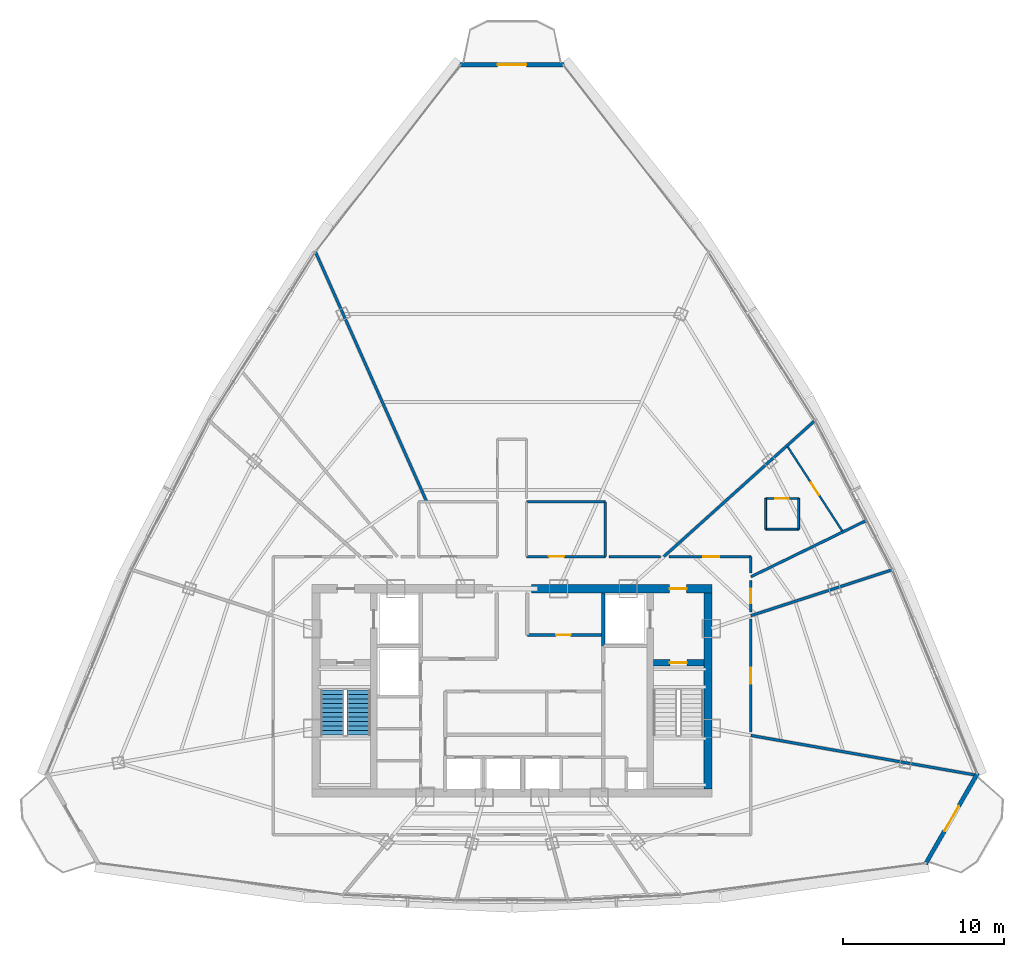
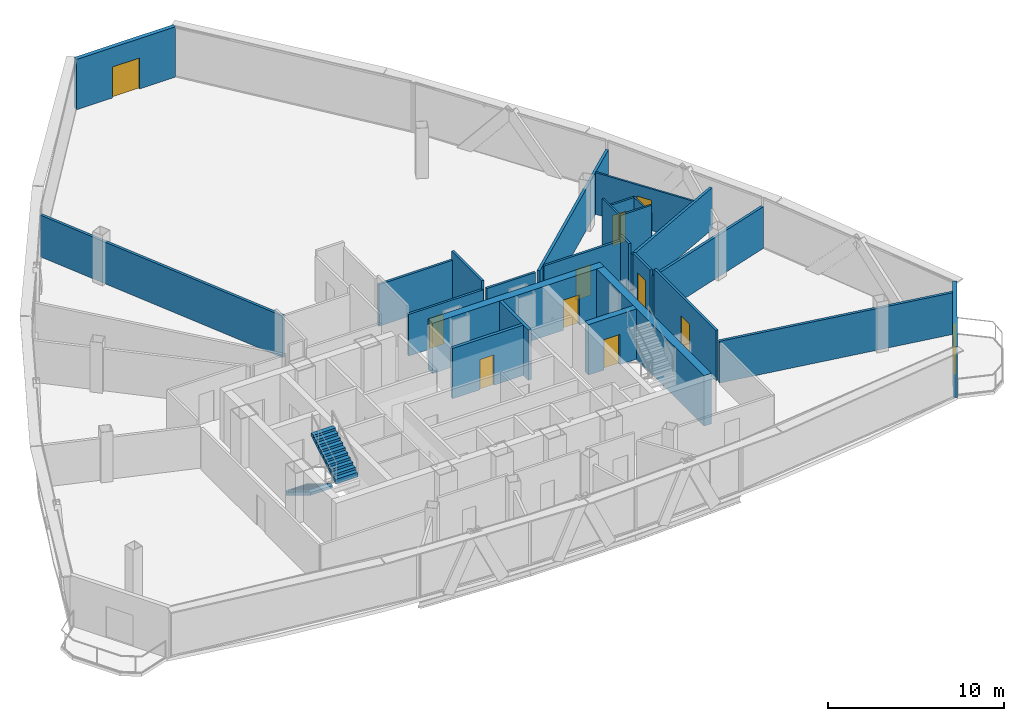
# One storey, part 29 of 33: 25 walls, 11 doors, 2 stair flights, 11 openings, 1 element without a shape of its own.
"""IFC4 building model written with IfcOpenShell, lengths in metres."""

from ifc_helpers import new_model, si_unit, direction, frame, frame_2d, origin, origin_with_axes, place, context, subcontext, project, spatial, polyline, rectangle, outline, extrude, source, transform, mapped, material, layer, layer_set, type_object, element, fill, aggregate, save


model = new_model("IFC4")

# Units and contexts
model_context = context("Model", 3, precision=1e-05, world=origin(), true_north=direction((0.0, 1.0)))
body_context = subcontext(model_context, "Body", "Model", "MODEL_VIEW")
ifc_project = project(units=[si_unit("LENGTHUNIT", "METRE"), si_unit("AREAUNIT", "SQUARE_METRE"), si_unit("VOLUMEUNIT", "CUBIC_METRE"), si_unit("PLANEANGLEUNIT", "RADIAN"), si_unit("MASSUNIT", "GRAM", prefix="KILO"), si_unit("THERMODYNAMICTEMPERATUREUNIT", "KELVIN"), si_unit("POWERUNIT", "WATT")], contexts=[model_context])

# Site, building, storey
site_placement = place(None, origin())
site = spatial("IfcSite", under=ifc_project, at=site_placement, CompositionType="ELEMENT")
building_placement = place(site_placement, origin())
building = spatial("IfcBuilding", under=site, at=building_placement, Name="Yunzhuo Pagoda Commons", CompositionType="ELEMENT")
storey_placement = place(building_placement, frame((0.0, 0.0, 325.510009765625)))
storey = spatial("IfcBuildingStorey", under=building, at=storey_placement, Name="L81", CompositionType="ELEMENT", Elevation=325.510009765625)

# Wall, opening, door
ifc_material_1 = material(Name="Precast concrete C40", Category="concrete")
ifc_layer_1 = layer(ifc_material_1, 0.260009765625)
ifc_layer_set_1 = layer_set([ifc_layer_1], Name="Precast concrete C40")
wall_type_1 = type_object("IfcWallType", Name="W-BAL1 Corner Balcony Threshold Wall 260", PredefinedType="STANDARD", material=ifc_layer_set_1)
wall_1_placement = place(storey_placement, frame((73.71240234375, 23.091064453125, 0.0), z_axis=(0.0, 0.0, 1.0), x_axis=(0.49793434898, 0.867214727796, 0.0)))
wall_1 = element("IfcWall", 1, at=wall_1_placement, inside=storey, type_object=wall_type_1, Name="L81 corner balcony wall V2", PredefinedType="STANDARD", context=body_context, shape_type="SweptSolid", body=[
    extrude(rectangle(XDim=6.5126953125, YDim=0.260009765625, at=frame_2d((3.25634765625, 0.0))), origin(), (0.0, 0.0, 1.0), 3.489990234375),
])
opening_1_placement = place(wall_1_placement, frame((2.3564453125, 0.0, 0.0)))
opening_1 = element("IfcOpeningElement", 2, at=opening_1_placement, cuts=wall_1, Name="Opening D-BAL1", PredefinedType="OPENING", context=body_context, shape_type="SweptSolid", body=[
    extrude(rectangle(XDim=1.800048828125, YDim=2.14990234375, at=frame_2d((0.89990234375, 1.074951171875))), frame((0.0, 0.14013671875, 0.0), z_axis=(0.0, -1.0, 0.0), x_axis=(1.0, 0.0, 0.0)), (0.0, 0.0, 1.0), 0.280029296875),
])
ifc_material_2 = material(Name="Anodized aluminium frame and tempered glazed leaf", Category="aluminium")
door_type_1 = type_object("IfcDoorType", Name="D-BAL1 Corner Balcony Sliding Glazed Door 1800x2150", OperationType="DOUBLE_DOOR_SLIDING", PredefinedType="DOOR", material=ifc_material_2)
shared_shape_1 = source(origin(), body_context, "Body", "SweptSolid", [
    extrude(rectangle(XDim=1.800048828125, YDim=2.14990234375, at=frame_2d((0.89990234375, 1.074951171875))), frame((0.0, 0.02490234375, 0.0), z_axis=(0.0, -1.0, 0.0), x_axis=(1.0, 0.0, 0.0)), (0.0, 0.0, 1.0), 0.050048828125),
])
door_1_placement = place(opening_1_placement, origin_with_axes())
door_1 = element("IfcDoor", 3, at=door_1_placement, inside=storey, type_object=door_type_1, Name="L81 corner balcony sliding door V2", OperationType="DOUBLE_DOOR_SLIDING", OverallHeight=2.14990234375, OverallWidth=1.800048828125, PredefinedType="DOOR", context=body_context, shape_type="MappedRepresentation", body=[
    mapped(shared_shape_1, transform((0.0, 0.0, 0.0), scale=1.0)),
])
fill(opening_1, door_1)

wall_2_placement = place(storey_placement, frame((51.243408203125, 72.783203125, 0.0), z_axis=(0.0, 0.0, 1.0), x_axis=(-1.0, 0.0, 0.0)))
wall_2 = element("IfcWall", 4, at=wall_2_placement, inside=storey, type_object=wall_type_1, Name="L81 corner balcony wall V3", PredefinedType="STANDARD", context=body_context, shape_type="SweptSolid", body=[
    extrude(rectangle(XDim=6.48681640625, YDim=0.260009765625, at=frame_2d((3.243408203125, 0.0))), origin(), (0.0, 0.0, 1.0), 3.489990234375),
])
opening_2_placement = place(wall_2_placement, frame((2.343505859375, 0.0, 0.0)))
opening_2 = element("IfcOpeningElement", 5, at=opening_2_placement, cuts=wall_2, Name="Opening D-BAL1", PredefinedType="OPENING", context=body_context, shape_type="SweptSolid", body=[
    extrude(rectangle(XDim=1.800048828125, YDim=2.14990234375, at=frame_2d((0.89990234375, 1.074951171875))), frame((0.0, 0.14013671875, 0.0), z_axis=(0.0, -1.0, 0.0), x_axis=(1.0, 0.0, 0.0)), (0.0, 0.0, 1.0), 0.280029296875),
])
door_2_placement = place(opening_2_placement, origin_with_axes())
door_2 = element("IfcDoor", 6, at=door_2_placement, inside=storey, type_object=door_type_1, Name="L81 corner balcony sliding door V3", OperationType="DOUBLE_DOOR_SLIDING", OverallHeight=2.14990234375, OverallWidth=1.800048828125, PredefinedType="DOOR", context=body_context, shape_type="MappedRepresentation", body=[
    mapped(shared_shape_1, transform((0.0, 0.0, 0.0), scale=1.0)),
])
fill(opening_2, door_2)

ifc_material_3 = material(Name="Concrete C50", Category="concrete")
ifc_layer_2 = layer(ifc_material_3, 0.5)
ifc_layer_set_2 = layer_set([ifc_layer_2], Name="Concrete C50")
wall_type_2 = type_object("IfcWallType", Name="W-C03 Upper Core Shear Wall 500", PredefinedType="SHEAR", material=ifc_layer_set_2)
wall_3_placement = place(storey_placement, frame((49.199951171875, 40.199951171875, 0.0), z_axis=(0.0, 0.0, 1.0), x_axis=(1.0, 0.0, 0.0)))
wall_3 = element("IfcWall", 7, at=wall_3_placement, inside=storey, type_object=wall_type_2, Name="L81 core shear wall NE", PredefinedType="SHEAR", context=body_context, shape_type="SweptSolid", body=[
    extrude(rectangle(XDim=11.25, YDim=0.5, at=frame_2d((5.625, 0.0))), origin(), (0.0, 0.0, 1.0), 3.489990234375),
])
opening_3_placement = place(wall_3_placement, frame((8.60009765625, 0.0, 0.0)))
opening_3 = element("IfcOpeningElement", 8, at=opening_3_placement, cuts=wall_3, Name="Opening D-02", PredefinedType="OPENING", context=body_context, shape_type="SweptSolid", body=[
    extrude(rectangle(XDim=1.050048828125, YDim=2.10009765625, at=frame_2d((0.52490234375, 1.050048828125))), frame((0.0, 0.260009765625, 0.0), z_axis=(0.0, -1.0, 0.0), x_axis=(1.0, 0.0, 0.0)), (0.0, 0.0, 1.0), 0.52001953125),
])
ifc_material_4 = material(Name="Galvanized fire-resisting metal leaf")
door_type_2 = type_object("IfcDoorType", Name="D-02 Firefighting Lobby & Refuge Fire Door 1050x2100", OperationType="NOTDEFINED", PredefinedType="DOOR", material=ifc_material_4)
shared_shape_2 = source(origin(), body_context, "Body", "SweptSolid", [
    extrude(rectangle(XDim=1.050048828125, YDim=2.10009765625, at=frame_2d((0.52490234375, 1.050048828125))), frame((0.0, 0.02490234375, 0.0), z_axis=(0.0, -1.0, 0.0), x_axis=(1.0, 0.0, 0.0)), (0.0, 0.0, 1.0), 0.050048828125),
])
door_3_placement = place(opening_3_placement, frame((1.050048828125, 0.0, 0.0), z_axis=(0.0, 0.0, 1.0), x_axis=(-1.0, 0.0, 0.0)))
door_3 = element("IfcDoor", 9, at=door_3_placement, inside=storey, type_object=door_type_2, Name="L81 Firefighting Lobby 2 fire door", OperationType="SINGLE_SWING_RIGHT", OverallHeight=2.10009765625, OverallWidth=1.050048828125, PredefinedType="DOOR", context=body_context, shape_type="MappedRepresentation", body=[
    mapped(shared_shape_2, transform((0.0, 0.0, 0.0), scale=1.0)),
])
fill(opening_3, door_3)

# Wall
wall_4_placement = place(storey_placement, frame((60.199951171875, 27.75, 0.0), z_axis=(0.0, 0.0, 1.0), x_axis=(0.0, 1.0, 0.0)))
element("IfcWall", 10, at=wall_4_placement, inside=storey, type_object=wall_type_2, Name="L81 core shear wall E", PredefinedType="SHEAR", context=body_context, shape_type="SweptSolid", body=[
    extrude(rectangle(XDim=12.199951171875, YDim=0.5, at=frame_2d((6.10009765625, 0.0))), origin(), (0.0, 0.0, 1.0), 3.489990234375),
])

# Wall, opening, door
ifc_material_5 = material(Name="Gypsum plasterboard on acoustic stud")
ifc_layer_3 = layer(ifc_material_5, 0.14990234375)
ifc_layer_set_3 = layer_set([ifc_layer_3], Name="Gypsum plasterboard on acoustic stud")
wall_type_3 = type_object("IfcWallType", Name="W-COR3 High-Zone Rated Corridor Wall 150", PredefinedType="PARTITIONING", material=ifc_layer_set_3)
wall_5_placement = place(storey_placement, frame((48.89990234375, 42.199951171875, 0.0), z_axis=(0.0, 0.0, 1.0), x_axis=(1.0, 0.0, 0.0)))
wall_5 = element("IfcWall", 11, at=wall_5_placement, inside=storey, type_object=wall_type_3, Name="L81 interior wall IW-L81-TFES", PredefinedType="PARTITIONING", context=body_context, shape_type="SweptSolid", body=[
    extrude(rectangle(XDim=4.900146484375, YDim=0.14990234375, at=frame_2d((2.4501953125, 0.0))), origin(), (0.0, 0.0, 1.0), 2.889892578125),
])
opening_4_placement = place(wall_5_placement, frame((1.39990234375, 0.0, 0.0)))
opening_4 = element("IfcOpeningElement", 12, at=opening_4_placement, cuts=wall_5, Name="Opening D-11", PredefinedType="OPENING", context=body_context, shape_type="SweptSolid", body=[
    extrude(rectangle(XDim=0.93994140625, YDim=2.10009765625, at=frame_2d((0.469970703125, 1.050048828125))), frame((0.0, 0.0849609375, 0.0), z_axis=(0.0, -1.0, 0.0), x_axis=(1.0, 0.0, 0.0)), (0.0, 0.0, 1.0), 0.169921875),
])
door_type_3 = type_object("IfcDoorType", Name="D-11 Accessible Washroom Fire Door 940x2100", OperationType="NOTDEFINED", PredefinedType="DOOR", material=ifc_material_4)
shared_shape_3 = source(origin(), body_context, "Body", "SweptSolid", [
    extrude(rectangle(XDim=0.93994140625, YDim=2.10009765625, at=frame_2d((0.469970703125, 1.050048828125))), frame((0.0, 0.02490234375, 0.0), z_axis=(0.0, -1.0, 0.0), x_axis=(1.0, 0.0, 0.0)), (0.0, 0.0, 1.0), 0.050048828125),
])
door_4_placement = place(opening_4_placement, frame((0.93994140625, 0.0, 0.0), z_axis=(0.0, 0.0, 1.0), x_axis=(-1.0, 0.0, 0.0)))
door_4 = element("IfcDoor", 13, at=door_4_placement, inside=storey, type_object=door_type_3, Name="L81 accessible WC door", OperationType="SINGLE_SWING_RIGHT", OverallHeight=2.10009765625, OverallWidth=0.93994140625, PredefinedType="DOOR", context=body_context, shape_type="MappedRepresentation", body=[
    mapped(shared_shape_3, transform((0.0, 0.0, 0.0), scale=1.0)),
])
fill(opening_4, door_4)

# Walls
wall_6_placement = place(storey_placement, frame((48.89990234375, 45.60009765625, 0.0), z_axis=(0.0, 0.0, 1.0), x_axis=(1.0, 0.0, 0.0)))
element("IfcWall", 14, at=wall_6_placement, inside=storey, type_object=wall_type_3, Name="L81 interior wall IW-L81-TFEN", PredefinedType="PARTITIONING", context=body_context, shape_type="SweptSolid", body=[
    extrude(rectangle(XDim=4.900146484375, YDim=0.14990234375, at=frame_2d((2.4501953125, 0.0))), origin(), (0.0, 0.0, 1.0), 2.889892578125),
])
wall_7_placement = place(storey_placement, frame((53.800048828125, 42.199951171875, 0.0), z_axis=(0.0, 0.0, 1.0), x_axis=(0.0, 1.0, 0.0)))
element("IfcWall", 15, at=wall_7_placement, inside=storey, type_object=wall_type_3, Name="L81 interior wall IW-L81-TFEE", PredefinedType="PARTITIONING", context=body_context, shape_type="SweptSolid", body=[
    extrude(rectangle(XDim=3.400146484375, YDim=0.14990234375, at=frame_2d((1.7001953125, 0.0))), origin(), (0.0, 0.0, 1.0), 3.489990234375),
])
wall_8_placement = place(storey_placement, frame((54.02001953125, 42.199951171875, 0.0), z_axis=(0.0, 0.0, 1.0), x_axis=(1.0, 0.0, 0.0)))
element("IfcWall", 16, at=wall_8_placement, inside=storey, type_object=wall_type_3, Name="L81 interior wall IW-L81-CWL09", PredefinedType="PARTITIONING", context=body_context, shape_type="SweptSolid", body=[
    extrude(rectangle(XDim=3.200439453125, YDim=0.14990234375, at=frame_2d((1.60009765625, 0.0))), origin(), (0.0, 0.0, 1.0), 2.889892578125),
])

# Wall, opening, door
wall_9_placement = place(storey_placement, frame((57.76904296875, 42.199951171875, 0.0), z_axis=(0.0, 0.0, 1.0), x_axis=(1.0, 0.0, 0.0)))
wall_9 = element("IfcWall", 17, at=wall_9_placement, inside=storey, type_object=wall_type_3, Name="L81 interior wall IW-L81-CWL10", PredefinedType="PARTITIONING", context=body_context, shape_type="SweptSolid", body=[
    extrude(rectangle(XDim=5.0810546875, YDim=0.14990234375, at=frame_2d((2.54052734375, 0.0))), origin(), (0.0, 0.0, 1.0), 3.139892578125),
])
opening_5_placement = place(wall_9_placement, frame((2.131103515625, 0.0, 0.0)))
opening_5 = element("IfcOpeningElement", 18, at=opening_5_placement, cuts=wall_9, Name="Opening D-08", PredefinedType="OPENING", context=body_context, shape_type="SweptSolid", body=[
    extrude(rectangle(XDim=0.97998046875, YDim=2.1201171875, at=frame_2d((0.489990234375, 1.06005859375))), frame((0.0, 0.0849609375, 0.0), z_axis=(0.0, -1.0, 0.0), x_axis=(1.0, 0.0, 0.0)), (0.0, 0.0, 1.0), 0.169921875),
])
door_type_4 = type_object("IfcDoorType", Name="D-08 High-Zone Suite Entrance Fire Door 980x2120", OperationType="NOTDEFINED", PredefinedType="DOOR", material=ifc_material_4)
shared_shape_4 = source(origin(), body_context, "Body", "SweptSolid", [
    extrude(rectangle(XDim=0.97998046875, YDim=2.1201171875, at=frame_2d((0.489990234375, 1.06005859375))), frame((0.0, 0.02490234375, 0.0), z_axis=(0.0, -1.0, 0.0), x_axis=(1.0, 0.0, 0.0)), (0.0, 0.0, 1.0), 0.050048828125),
])
door_5_placement = place(opening_5_placement, origin_with_axes())
door_5 = element("IfcDoor", 19, at=door_5_placement, inside=storey, type_object=door_type_4, Name="L81 unit 03 entrance door", OperationType="SINGLE_SWING_LEFT", OverallHeight=2.1201171875, OverallWidth=0.97998046875, PredefinedType="DOOR", context=body_context, shape_type="MappedRepresentation", body=[
    mapped(shared_shape_4, transform((0.0, 0.0, 0.0), scale=1.0)),
])
fill(opening_5, door_5)

# Wall
wall_10_placement = place(storey_placement, frame((62.85009765625, 42.199951171875, 0.0), z_axis=(0.0, 0.0, 1.0), x_axis=(0.0, -1.0, 0.0)))
element("IfcWall", 20, at=wall_10_placement, inside=storey, type_object=wall_type_3, Name="L81 interior wall IW-L81-CWL11", PredefinedType="PARTITIONING", context=body_context, shape_type="SweptSolid", body=[
    extrude(rectangle(XDim=1.012451171875, YDim=0.14990234375, at=frame_2d((0.50634765625, 0.0))), origin(), (0.0, 0.0, 1.0), 3.489990234375),
])

# Wall, opening, door
wall_11_placement = place(storey_placement, frame((62.85009765625, 40.722900390625, 0.0), z_axis=(0.0, 0.0, 1.0), x_axis=(0.0, -1.0, 0.0)))
wall_11 = element("IfcWall", 21, at=wall_11_placement, inside=storey, type_object=wall_type_3, Name="L81 interior wall IW-L81-CWL12", PredefinedType="PARTITIONING", context=body_context, shape_type="SweptSolid", body=[
    extrude(rectangle(XDim=1.966552734375, YDim=0.14990234375, at=frame_2d((0.9833984375, 0.0))), origin(), (0.0, 0.0, 1.0), 3.139892578125),
])
opening_6_placement = place(wall_11_placement, frame((0.529052734375, 0.0, 0.0)))
opening_6 = element("IfcOpeningElement", 22, at=opening_6_placement, cuts=wall_11, Name="Opening D-12", PredefinedType="OPENING", context=body_context, shape_type="SweptSolid", body=[
    extrude(rectangle(XDim=0.89990234375, YDim=2.080078125, at=frame_2d((0.449951171875, 1.0400390625))), frame((0.0, 0.0849609375, 0.0), z_axis=(0.0, -1.0, 0.0), x_axis=(1.0, 0.0, 0.0)), (0.0, 0.0, 1.0), 0.169921875),
])
ifc_material_6 = material(Name="Powder-coated aluminium and timber acoustic leaf", Category="wood")
door_type_5 = type_object("IfcDoorType", Name="D-12 Quiet Study Interior Door 900x2080", OperationType="NOTDEFINED", PredefinedType="DOOR", material=ifc_material_6)
shared_shape_5 = source(origin(), body_context, "Body", "SweptSolid", [
    extrude(rectangle(XDim=0.89990234375, YDim=2.080078125, at=frame_2d((0.449951171875, 1.0400390625))), frame((0.0, 0.02490234375, 0.0), z_axis=(0.0, -1.0, 0.0), x_axis=(1.0, 0.0, 0.0)), (0.0, 0.0, 1.0), 0.050048828125),
])
door_6_placement = place(opening_6_placement, origin_with_axes())
door_6 = element("IfcDoor", 23, at=door_6_placement, inside=storey, type_object=door_type_5, Name="L81 study lounge 02 door", OperationType="SINGLE_SWING_RIGHT", OverallHeight=2.080078125, OverallWidth=0.89990234375, PredefinedType="DOOR", context=body_context, shape_type="MappedRepresentation", body=[
    mapped(shared_shape_5, transform((0.0, 0.0, 0.0), scale=1.0)),
])
fill(opening_6, door_6)

wall_12_placement = place(storey_placement, frame((62.85009765625, 38.305419921875, 0.0), z_axis=(0.0, 0.0, 1.0), x_axis=(0.0, -1.0, 0.0)))
wall_12 = element("IfcWall", 24, at=wall_12_placement, inside=storey, type_object=wall_type_3, Name="L81 interior wall IW-L81-CWL13", PredefinedType="PARTITIONING", context=body_context, shape_type="SweptSolid", body=[
    extrude(rectangle(XDim=7.004150390625, YDim=0.14990234375, at=frame_2d((3.501953125, 0.0))), origin(), (0.0, 0.0, 1.0), 3.489990234375),
])
opening_7_placement = place(wall_12_placement, frame((3.027099609375, 0.0, 0.0)))
opening_7 = element("IfcOpeningElement", 25, at=opening_7_placement, cuts=wall_12, Name="Opening D-08", PredefinedType="OPENING", context=body_context, shape_type="SweptSolid", body=[
    extrude(rectangle(XDim=0.97998046875, YDim=2.1201171875, at=frame_2d((0.489990234375, 1.06005859375))), frame((0.0, 0.0849609375, 0.0), z_axis=(0.0, -1.0, 0.0), x_axis=(1.0, 0.0, 0.0)), (0.0, 0.0, 1.0), 0.169921875),
])
door_7_placement = place(opening_7_placement, origin_with_axes())
door_7 = element("IfcDoor", 26, at=door_7_placement, inside=storey, type_object=door_type_4, Name="L81 unit 01 entrance door", OperationType="SINGLE_SWING_LEFT", OverallHeight=2.1201171875, OverallWidth=0.97998046875, PredefinedType="DOOR", context=body_context, shape_type="MappedRepresentation", body=[
    mapped(shared_shape_4, transform((0.0, 0.0, 0.0), scale=1.0)),
])
fill(opening_7, door_7)

# Walls
ifc_layer_4 = layer(ifc_material_5, 0.1201171875)
ifc_layer_set_4 = layer_set([ifc_layer_4], Name="Gypsum plasterboard on acoustic stud")
wall_type_4 = type_object("IfcWallType", Name="W-PRT1 Suite & Bathroom Partition 120", PredefinedType="PARTITIONING", material=ifc_layer_set_4)
wall_13_placement = place(storey_placement, frame((63.76806640625, 43.9130859375, 0.0), z_axis=(0.0, 0.0, 1.0), x_axis=(1.0, 0.0, 0.0)))
element("IfcWall", 27, at=wall_13_placement, inside=storey, type_object=wall_type_4, Name="L81 interior wall IW-L81-B03S", PredefinedType="PARTITIONING", context=body_context, shape_type="SweptSolid", body=[
    extrude(rectangle(XDim=2.050048828125, YDim=0.1201171875, at=frame_2d((1.02490234375, 0.0))), origin(), (0.0, 0.0, 1.0), 3.489990234375),
])
wall_14_placement = place(storey_placement, frame((65.818115234375, 43.9130859375, 0.0), z_axis=(0.0, 0.0, 1.0), x_axis=(0.0, 1.0, 0.0)))
element("IfcWall", 28, at=wall_14_placement, inside=storey, type_object=wall_type_4, Name="L81 interior wall IW-L81-B03E", PredefinedType="PARTITIONING", context=body_context, shape_type="SweptSolid", body=[
    extrude(rectangle(XDim=1.89990234375, YDim=0.1201171875, at=frame_2d((0.949951171875, 0.0))), origin(), (0.0, 0.0, 1.0), 2.889892578125),
])

# Wall, opening, door
wall_15_placement = place(storey_placement, frame((65.818115234375, 45.81298828125, 0.0), z_axis=(0.0, 0.0, 1.0), x_axis=(-1.0, 0.0, 0.0)))
wall_15 = element("IfcWall", 29, at=wall_15_placement, inside=storey, type_object=wall_type_4, Name="L81 interior wall IW-L81-B03N", PredefinedType="PARTITIONING", context=body_context, shape_type="SweptSolid", body=[
    extrude(rectangle(XDim=2.050048828125, YDim=0.1201171875, at=frame_2d((1.02490234375, 0.0))), origin(), (0.0, 0.0, 1.0), 2.889892578125),
])
opening_8_placement = place(wall_15_placement, frame((0.60009765625, 0.0, 0.0)))
opening_8 = element("IfcOpeningElement", 30, at=opening_8_placement, cuts=wall_15, Name="Opening D-05", PredefinedType="OPENING", context=body_context, shape_type="SweptSolid", body=[
    extrude(rectangle(XDim=0.85009765625, YDim=2.10009765625, at=frame_2d((0.425048828125, 1.050048828125))), frame((0.0, 0.070068359375, 0.0), z_axis=(0.0, -1.0, 0.0), x_axis=(1.0, 0.0, 0.0)), (0.0, 0.0, 1.0), 0.14013671875),
])
door_type_6 = type_object("IfcDoorType", Name="D-05 En-Suite Bathroom Door 850x2100", OperationType="NOTDEFINED", PredefinedType="DOOR", material=ifc_material_6)
shared_shape_6 = source(origin(), body_context, "Body", "SweptSolid", [
    extrude(rectangle(XDim=0.85009765625, YDim=2.10009765625, at=frame_2d((0.425048828125, 1.050048828125))), frame((0.0, 0.02490234375, 0.0), z_axis=(0.0, -1.0, 0.0), x_axis=(1.0, 0.0, 0.0)), (0.0, 0.0, 1.0), 0.050048828125),
])
door_8_placement = place(opening_8_placement, frame((0.85009765625, 0.0, 0.0), z_axis=(0.0, 0.0, 1.0), x_axis=(-1.0, 0.0, 0.0)))
door_8 = element("IfcDoor", 31, at=door_8_placement, inside=storey, type_object=door_type_6, Name="L81 unit 03 bathroom door", OperationType="SINGLE_SWING_LEFT", OverallHeight=2.10009765625, OverallWidth=0.85009765625, PredefinedType="DOOR", context=body_context, shape_type="MappedRepresentation", body=[
    mapped(shared_shape_6, transform((0.0, 0.0, 0.0), scale=1.0)),
])
fill(opening_8, door_8)

# Wall
wall_16_placement = place(storey_placement, frame((63.76806640625, 45.81298828125, 0.0), z_axis=(0.0, 0.0, 1.0), x_axis=(0.0, -1.0, 0.0)))
element("IfcWall", 32, at=wall_16_placement, inside=storey, type_object=wall_type_4, Name="L81 interior wall IW-L81-B03W", PredefinedType="PARTITIONING", context=body_context, shape_type="SweptSolid", body=[
    extrude(rectangle(XDim=1.89990234375, YDim=0.1201171875, at=frame_2d((0.949951171875, 0.0))), origin(), (0.0, 0.0, 1.0), 3.489990234375),
])

# Wall, opening, door
wall_17_placement = place(storey_placement, frame((68.539794921875, 43.78466796875, 0.0), z_axis=(0.0, 0.0, 1.0), x_axis=(-0.54386649996, 0.839171752516, 0.0)))
wall_17 = element("IfcWall", 33, at=wall_17_placement, inside=storey, type_object=wall_type_4, Name="L81 interior wall IW-L81-CLB03", PredefinedType="PARTITIONING", context=body_context, shape_type="SweptSolid", body=[
    extrude(rectangle(XDim=6.267578125, YDim=0.1201171875, at=frame_2d((3.1337890625, 0.0))), origin(), (0.0, 0.0, 1.0), 2.889892578125),
])
opening_9_placement = place(wall_17_placement, frame((2.673583984375, 0.0, 0.0)))
opening_9 = element("IfcOpeningElement", 34, at=opening_9_placement, cuts=wall_17, Name="Opening D-04", PredefinedType="OPENING", context=body_context, shape_type="SweptSolid", body=[
    extrude(rectangle(XDim=0.919921875, YDim=2.10009765625, at=frame_2d((0.4599609375, 1.050048828125))), frame((0.0, 0.070068359375, 0.0), z_axis=(0.0, -1.0, 0.0), x_axis=(1.0, 0.0, 0.0)), (0.0, 0.0, 1.0), 0.14013671875),
])
door_type_7 = type_object("IfcDoorType", Name="D-04 Bedroom & Study Interior Door 920x2100", OperationType="NOTDEFINED", PredefinedType="DOOR", material=ifc_material_6)
shared_shape_7 = source(origin(), body_context, "Body", "SweptSolid", [
    extrude(rectangle(XDim=0.919921875, YDim=2.10009765625, at=frame_2d((0.4599609375, 1.050048828125))), frame((0.0, 0.02490234375, 0.0), z_axis=(0.0, -1.0, 0.0), x_axis=(1.0, 0.0, 0.0)), (0.0, 0.0, 1.0), 0.050048828125),
])
door_9_placement = place(opening_9_placement, origin_with_axes())
door_9 = element("IfcDoor", 35, at=door_9_placement, inside=storey, type_object=door_type_7, Name="L81 suite 03 bedroom door", OperationType="SINGLE_SWING_LEFT", OverallHeight=2.10009765625, OverallWidth=0.919921875, PredefinedType="DOOR", context=body_context, shape_type="MappedRepresentation", body=[
    mapped(shared_shape_7, transform((0.0, 0.0, 0.0), scale=1.0)),
])
fill(opening_9, door_9)

# Walls
ifc_layer_5 = layer(ifc_material_5, 0.169921875)
ifc_layer_set_5 = layer_set([ifc_layer_5], Name="Gypsum plasterboard on acoustic stud")
wall_type_5 = type_object("IfcWallType", Name="W-PRT4 High-Zone Demising Wall 170", PredefinedType="PARTITIONING", material=ifc_layer_set_5)
wall_18_placement = place(storey_placement, frame((62.85009765625, 38.525146484375, 0.0), z_axis=(0.0, 0.0, 1.0), x_axis=(0.951054035025, 0.309024630836, 0.0)))
element("IfcWall", 36, at=wall_18_placement, inside=storey, type_object=wall_type_5, Name="L81 interior wall IW-L81-RAD01", PredefinedType="PARTITIONING", context=body_context, shape_type="SweptSolid", body=[
    extrude(rectangle(XDim=9.25439453125, YDim=0.169921875, at=frame_2d((4.627197265625, 0.0))), origin(), (0.0, 0.0, 1.0), 2.889892578125),
])
wall_19_placement = place(storey_placement, frame((62.85009765625, 40.94287109375, 0.0), z_axis=(0.0, 0.0, 1.0), x_axis=(0.898797111691, 0.438364861749, 0.0)))
element("IfcWall", 37, at=wall_19_placement, inside=storey, type_object=wall_type_5, Name="L81 interior wall IW-L81-RAD02", PredefinedType="PARTITIONING", context=body_context, shape_type="SweptSolid", body=[
    extrude(rectangle(XDim=8.02099609375, YDim=0.169921875, at=frame_2d((4.010498046875, 0.0))), origin(), (0.0, 0.0, 1.0), 2.889892578125),
])
wall_20_placement = place(storey_placement, frame((57.440185546875, 42.199951171875, 0.0), z_axis=(0.0, 0.0, 1.0), x_axis=(0.743143506998, 0.669132070675, 0.0)))
element("IfcWall", 38, at=wall_20_placement, inside=storey, type_object=wall_type_5, Name="L81 interior wall IW-L81-RAD03", PredefinedType="PARTITIONING", context=body_context, shape_type="SweptSolid", body=[
    extrude(rectangle(XDim=12.65380859375, YDim=0.169921875, at=frame_2d((6.326904296875, 0.0))), origin(), (0.0, 0.0, 1.0), 2.889892578125),
])
wall_21_placement = place(storey_placement, frame((42.701904296875, 45.60009765625, 0.0), z_axis=(0.0, 0.0, 1.0), x_axis=(-0.406746839759, 0.913540917719, 0.0)))
element("IfcWall", 39, at=wall_21_placement, inside=storey, type_object=wall_type_5, Name="L81 interior wall IW-L81-RAD04", PredefinedType="PARTITIONING", context=body_context, shape_type="SweptSolid", body=[
    extrude(rectangle(XDim=17.013427734375, YDim=0.169921875, at=frame_2d((8.5068359375, 0.0))), origin(), (0.0, 0.0, 1.0), 2.889892578125),
])
wall_22_placement = place(storey_placement, frame((62.85009765625, 31.08154296875, 0.0), z_axis=(0.0, 0.0, 1.0), x_axis=(0.984807879062, -0.173647462802, 0.0)))
element("IfcWall", 40, at=wall_22_placement, inside=storey, type_object=wall_type_5, Name="L81 interior wall IW-L81-RAD12", PredefinedType="PARTITIONING", context=body_context, shape_type="SweptSolid", body=[
    extrude(rectangle(XDim=14.24365234375, YDim=0.169921875, at=frame_2d((7.121826171875, 0.0))), origin(), (0.0, 0.0, 1.0), 2.889892578125),
])

# Wall, opening, door
ifc_material_7 = material(Name="Concrete C60", Category="concrete")
ifc_layer_6 = layer(ifc_material_7, 0.39990234375)
ifc_layer_set_6 = layer_set([ifc_layer_6], Name="Concrete C60")
wall_type_6 = type_object("IfcWallType", Name="W-S01 Internal Core Shear Web 400", PredefinedType="SHEAR", material=ifc_layer_set_6)
wall_23_placement = place(storey_placement, frame((56.800048828125, 35.60009765625, 0.0), z_axis=(0.0, 0.0, 1.0), x_axis=(1.0, 0.0, 0.0)))
wall_23 = element("IfcWall", 41, at=wall_23_placement, inside=storey, type_object=wall_type_6, Name="L81 core shear wall STE", PredefinedType="SHEAR", context=body_context, shape_type="SweptSolid", body=[
    extrude(rectangle(XDim=3.14990234375, YDim=0.39990234375, at=frame_2d((1.574951171875, 0.0))), origin(), (0.0, 0.0, 1.0), 3.489990234375),
])
opening_10_placement = place(wall_23_placement, frame((1.02001953125, 0.0, 0.0)))
opening_10 = element("IfcOpeningElement", 42, at=opening_10_placement, cuts=wall_23, Name="Opening D-01", PredefinedType="OPENING", context=body_context, shape_type="SweptSolid", body=[
    extrude(rectangle(XDim=1.050048828125, YDim=2.10009765625, at=frame_2d((0.52490234375, 1.050048828125))), frame((0.0, 0.2099609375, 0.0), z_axis=(0.0, -1.0, 0.0), x_axis=(1.0, 0.0, 0.0)), (0.0, 0.0, 1.0), 0.419921875),
])
door_type_8 = type_object("IfcDoorType", Name="D-01 Smokeproof Stair Fire Door 1050x2100", OperationType="NOTDEFINED", PredefinedType="DOOR", material=ifc_material_4)
door_10_placement = place(opening_10_placement, frame((1.050048828125, 0.0, 0.0), z_axis=(0.0, 0.0, 1.0), x_axis=(-1.0, 0.0, 0.0)))
door_10 = element("IfcDoor", 43, at=door_10_placement, inside=storey, type_object=door_type_8, Name="L81 Stair ST2 fire door", OperationType="SINGLE_SWING_RIGHT", OverallHeight=2.10009765625, OverallWidth=1.050048828125, PredefinedType="DOOR", context=body_context, shape_type="MappedRepresentation", body=[
    mapped(shared_shape_2, transform((0.0, 0.0, 0.0), scale=1.0)),
])
fill(opening_10, door_10)

# Wall
ifc_material_8 = material(Name="Concrete C40", Category="concrete")
ifc_layer_7 = layer(ifc_material_8, 0.199951171875)
ifc_layer_set_7 = layer_set([ifc_layer_7], Name="Concrete C40")
wall_type_7 = type_object("IfcWallType", Name="W-SHF Shaft & Stair Enclosure Wall 200", PredefinedType="SOLIDWALL", material=ifc_layer_set_7)
wall_24_placement = place(storey_placement, frame((53.679931640625, 36.64990234375, 0.0), z_axis=(0.0, 0.0, 1.0), x_axis=(0.0, 1.0, 0.0)))
element("IfcWall", 44, at=wall_24_placement, inside=storey, type_object=wall_type_7, Name="L81 interior wall IW-L81-FL2W", PredefinedType="SOLIDWALL", context=body_context, shape_type="SweptSolid", body=[
    extrude(rectangle(XDim=3.300048828125, YDim=0.199951171875, at=frame_2d((1.64990234375, 0.0))), origin(), (0.0, 0.0, 1.0), 3.489990234375),
])

# Wall, opening, door
wall_25_placement = place(storey_placement, frame((48.949951171875, 37.320068359375, 0.0), z_axis=(0.0, 0.0, 1.0), x_axis=(1.0, 0.0, 0.0)))
wall_25 = element("IfcWall", 45, at=wall_25_placement, inside=storey, type_object=wall_type_7, Name="L81 interior wall IW-L81-LBNE", PredefinedType="SOLIDWALL", context=body_context, shape_type="SweptSolid", body=[
    extrude(rectangle(XDim=4.72998046875, YDim=0.199951171875, at=frame_2d((2.364990234375, 0.0))), origin(), (0.0, 0.0, 1.0), 3.489990234375),
])
opening_11_placement = place(wall_25_placement, frame((1.800048828125, 0.0, 0.0)))
opening_11 = element("IfcOpeningElement", 46, at=opening_11_placement, cuts=wall_25, Name="Opening D-03", PredefinedType="OPENING", context=body_context, shape_type="SweptSolid", body=[
    extrude(rectangle(XDim=0.89990234375, YDim=2.10009765625, at=frame_2d((0.449951171875, 1.050048828125))), frame((0.0, 0.10986328125, 0.0), z_axis=(0.0, -1.0, 0.0), x_axis=(1.0, 0.0, 0.0)), (0.0, 0.0, 1.0), 0.219970703125),
])
door_type_9 = type_object("IfcDoorType", Name="D-03 Core Service Fire Door 900x2100", OperationType="NOTDEFINED", PredefinedType="DOOR", material=ifc_material_4)
shared_shape_8 = source(origin(), body_context, "Body", "SweptSolid", [
    extrude(rectangle(XDim=0.89990234375, YDim=2.10009765625, at=frame_2d((0.449951171875, 1.050048828125))), frame((0.0, 0.02490234375, 0.0), z_axis=(0.0, -1.0, 0.0), x_axis=(1.0, 0.0, 0.0)), (0.0, 0.0, 1.0), 0.050048828125),
])
door_11_placement = place(opening_11_placement, frame((0.89990234375, 0.0, 0.0), z_axis=(0.0, 0.0, 1.0), x_axis=(-1.0, 0.0, 0.0)))
door_11 = element("IfcDoor", 47, at=door_11_placement, inside=storey, type_object=door_type_9, Name="L81 core east store door", OperationType="SINGLE_SWING_RIGHT", OverallHeight=2.10009765625, OverallWidth=0.89990234375, PredefinedType="DOOR", context=body_context, shape_type="MappedRepresentation", body=[
    mapped(shared_shape_8, transform((0.0, 0.0, 0.0), scale=1.0)),
])
fill(opening_11, door_11)

# Stair, stair flights
stair_type = type_object("IfcStairType", Name="ST-C1 Core Smokeproof Stair ST1", PredefinedType="HALF_TURN_STAIR", material=ifc_material_8)
stair_placement = place(storey_placement, origin())
stair = element("IfcStair", 48, at=stair_placement, inside=storey, type_object=stair_type, Name="L81 Core smokeproof stair ST1", PredefinedType="HALF_TURN_STAIR")
stair_flight_type = type_object("IfcStairFlightType", Name="STF-C1 Core Stair Flight 1450", PredefinedType="STRAIGHT", material=ifc_material_8)
shared_shape_9 = source(origin(), body_context, "Body", "SweptSolid", [
    extrude(outline(polyline([(0.0, -0.14990234375), (0.0, 0.0), (0.0, 0.17041015625), (0.280029296875, 0.17041015625), (0.280029296875, 0.3408203125), (0.56005859375, 0.3408203125), (0.56005859375, 0.511474609375), (0.840087890625, 0.511474609375), (0.840087890625, 0.681884765625), (1.1201171875, 0.681884765625), (1.1201171875, 0.852294921875), (1.39990234375, 0.852294921875), (1.39990234375, 1.022705078125), (1.679931640625, 1.022705078125), (1.679931640625, 1.193115234375), (1.9599609375, 1.193115234375), (1.9599609375, 1.363525390625), (2.239990234375, 1.363525390625), (2.239990234375, 1.5341796875), (2.52001953125, 1.5341796875), (2.52001953125, 1.70458984375), (2.800048828125, 1.70458984375), (2.800048828125, 1.875), (2.800048828125, 1.529052734375), (0.288330078125, 0.0), (0.050048828125, -0.14990234375), (0.0, -0.14990234375)])), frame((0.0, 0.72509765625, 0.0), z_axis=(0.0, -1.0, 0.0), x_axis=(1.0, 0.0, 0.0)), (0.0, 0.0, 1.0), 1.449951171875),
])
stair_flight_1_placement = place(storey_placement, frame((36.824951171875, 33.89990234375, 0.0), z_axis=(0.0, 0.0, 1.0), x_axis=(0.0, -1.0, 0.0)))
stair_flight_1 = element("IfcStairFlight", 49, at=stair_flight_1_placement, type_object=stair_flight_type, Name="ST1 flight 1", NumberOfRisers=11, NumberOfTreads=10, PredefinedType="STRAIGHT", RiserHeight=0.170454545, TreadLength=0.28, context=body_context, shape_type="MappedRepresentation", body=[
    mapped(shared_shape_9, transform((0.0, 0.0, 0.0), scale=1.0)),
])
stair_flight_2_placement = place(storey_placement, frame((38.47509765625, 31.10009765625, 1.875), z_axis=(0.0, 0.0, 1.0), x_axis=(0.0, 1.0, 0.0)))
stair_flight_2 = element("IfcStairFlight", 50, at=stair_flight_2_placement, type_object=stair_flight_type, Name="ST1 flight 2", NumberOfRisers=11, NumberOfTreads=10, PredefinedType="STRAIGHT", RiserHeight=0.170454545, TreadLength=0.28, context=body_context, shape_type="MappedRepresentation", body=[
    mapped(shared_shape_9, transform((0.0, 0.0, 0.0), scale=1.0)),
])
aggregate(stair, [stair_flight_1, stair_flight_2])

save(model, "model.ifc")
